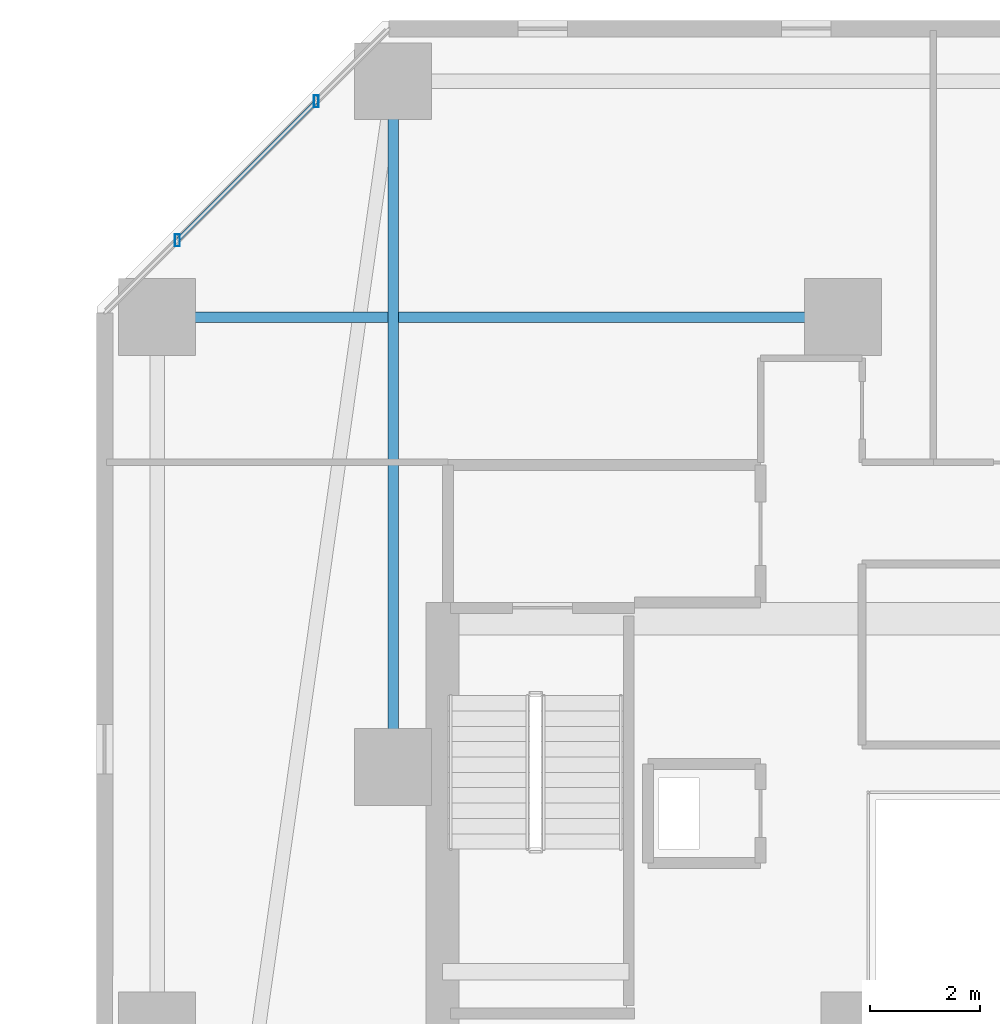
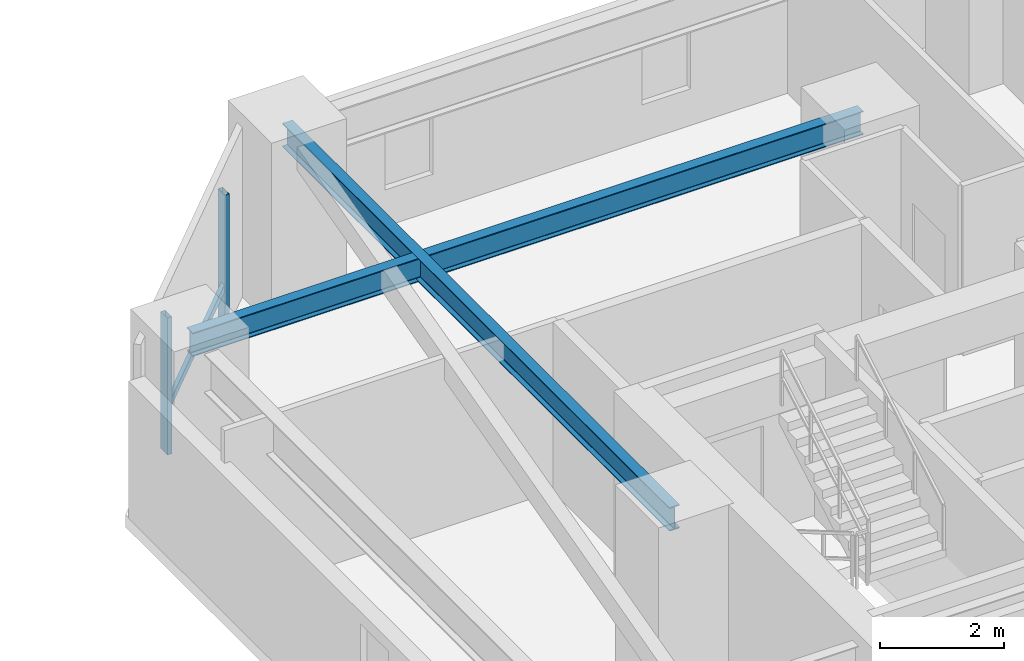
# One storey, part 14 of 33: 3 members, 2 beams, 1 element without a shape of its own.
"""IFC4 building model written with IfcOpenShell, lengths in metres."""

from ifc_helpers import new_model, si_unit, direction, frame, origin, origin_2d, place, context, subcontext, project, spatial, hollow_rectangle, i_section, extrude, material, material_profile, profile_set, type_object, element, aggregate, save


model = new_model("IFC4")

# Units and contexts
model_context = context("Model", 3, precision=1e-05, world=origin(), true_north=direction((0.0, 1.0)))
body_context = subcontext(model_context, "Body", "Model", "MODEL_VIEW")
ifc_project = project(units=[si_unit("LENGTHUNIT", "METRE"), si_unit("AREAUNIT", "SQUARE_METRE"), si_unit("VOLUMEUNIT", "CUBIC_METRE"), si_unit("PLANEANGLEUNIT", "RADIAN"), si_unit("MASSUNIT", "GRAM", prefix="KILO")], contexts=[model_context])

# Site, building, storey
site_placement = place(None, origin())
site = spatial("IfcSite", under=ifc_project, at=site_placement, CompositionType="ELEMENT")
building_placement = place(site_placement, origin())
building = spatial("IfcBuilding", under=site, at=building_placement, Name="Thornwick Lancets Civic Towers", CompositionType="ELEMENT")
storey_placement = place(building_placement, frame((0.0, 0.0, 38.699951171875)))
storey = spatial("IfcBuildingStorey", under=building, at=storey_placement, Name="L09", CompositionType="ELEMENT", Elevation=38.699951171875)

# Beams
ifc_material_1 = material(Name="Steel S355JR", Category="steel")
ifc_material_profile_1 = material_profile(ifc_material_1, i_section(OverallWidth=0.19189453125, OverallDepth=0.46337890625, WebThickness=0.010498046875, FlangeThickness=0.017578125, FilletRadius=0.01025390625, at=origin_2d()), Name="UKB 457x191x89")
ifc_profile_set_1 = profile_set([ifc_material_profile_1], Name="Steel S355JR")
beam_type = type_object("IfcBeamType", Name="BM_JOIST_457_89", PredefinedType="JOIST", material=ifc_profile_set_1)
for number, where, z_axis, x_axis, name in (
    (1, (75.5, 31.800048828125, 3.12841796875), (0.0, 1.0, 0.0), (-1.0, 0.0, 0.0), "BM-RADIN-L09-B06"),
    (2, (83.699951171875, 40.0, 3.12841796875), (-1.0, 0.0, 0.0), (0.0, -1.0, 0.0), "BM-RADIN-L09-B09"),
):
    element("IfcBeam", number, at=place(storey_placement, frame(where, z_axis=z_axis, x_axis=x_axis)), inside=storey, type_object=beam_type, Name=name, PredefinedType="JOIST", context=body_context, shape_type="SweptSolid", body=[
        extrude(i_section(OverallWidth=0.19189453125, OverallDepth=0.46337890625, WebThickness=0.010498046875, FlangeThickness=0.017578125, FilletRadius=0.01025390625, at=origin_2d()), origin(), (0.0, 0.0, 1.0), 12.5),
    ])

# Curtain wall, members
ifc_material_2 = material(Name="Low-zone chamfered-corner unitised glass curtain wall", Category="glass")
curtain_wall_type = type_object("IfcCurtainWallType", Name="CW_SYS_03", PredefinedType="NOTDEFINED", material=ifc_material_2)
curtain_wall_placement = place(storey_placement, origin())
curtain_wall = element("IfcCurtainWall", 3, at=curtain_wall_placement, inside=storey, type_object=curtain_wall_type, Name="L09 Curtain Wall CW-L09-B-E5", PredefinedType="NOTDEFINED")
ifc_material_3 = material(Name="Thermally broken bronze aluminium S355", Category="steel")
ifc_material_profile_2 = material_profile(ifc_material_3, hollow_rectangle(XDim=0.090087890625, YDim=0.219970703125, WallThickness=0.00634765625, at=origin_2d()), Name="RHS 220x90x6.3")
ifc_profile_set_2 = profile_set([ifc_material_profile_2], Name="Thermally broken bronze aluminium S355")
member_type_1 = type_object("IfcMemberType", Name="CW_MUL_220", PredefinedType="MULLION", material=ifc_profile_set_2)
member_1_placement = place(storey_placement, frame((74.101318359375, 43.930908203125, 0.0), z_axis=(0.0, 0.0, 1.0), x_axis=(1.0, 0.0, 0.0)))
member_1 = element("IfcMember", 4, at=member_1_placement, type_object=member_type_1, Name="CW-L09-B-E5 Mullion 0", PredefinedType="MULLION", context=body_context, shape_type="SweptSolid", body=[
    extrude(hollow_rectangle(XDim=0.090087890625, YDim=0.219970703125, WallThickness=0.00634765625, at=origin_2d()), origin(), (0.0, 0.0, 1.0), 2.699951171875),
])
member_2_placement = place(storey_placement, frame((71.569091796875, 41.398681640625, 0.0), z_axis=(0.0, 0.0, 1.0), x_axis=(1.0, 0.0, 0.0)))
member_2 = element("IfcMember", 5, at=member_2_placement, type_object=member_type_1, Name="CW-L09-B-E5 Mullion 1", PredefinedType="MULLION", context=body_context, shape_type="SweptSolid", body=[
    extrude(hollow_rectangle(XDim=0.090087890625, YDim=0.219970703125, WallThickness=0.00634765625, at=origin_2d()), origin(), (0.0, 0.0, 1.0), 2.699951171875),
])
ifc_material_profile_3 = material_profile(ifc_material_3, hollow_rectangle(XDim=0.074951171875, YDim=0.14990234375, WallThickness=0.0048828125, at=origin_2d()), Name="RHS 150x75x5")
ifc_profile_set_3 = profile_set([ifc_material_profile_3], Name="Thermally broken bronze aluminium S355")
member_type_2 = type_object("IfcMemberType", Name="CW_TRN_150", PredefinedType="USERDEFINED", material=ifc_profile_set_3)
member_3_placement = place(storey_placement, frame((74.087158203125, 43.9169921875, 0.85009765625), z_axis=(-0.707106781187, -0.707106781187, 0.0), x_axis=(0.707106781187, -0.707106781187, 0.0)))
member_3 = element("IfcMember", 6, at=member_3_placement, type_object=member_type_2, Name="CW-L09-B-E5 Transom 0", ObjectType="TRANSOM", PredefinedType="USERDEFINED", context=body_context, shape_type="SweptSolid", body=[
    extrude(hollow_rectangle(XDim=0.074951171875, YDim=0.14990234375, WallThickness=0.0048828125, at=origin_2d()), origin(), (0.0, 0.0, 1.0), 3.54150390625),
])
aggregate(curtain_wall, [member_1, member_2, member_3])

save(model, "model.ifc")
